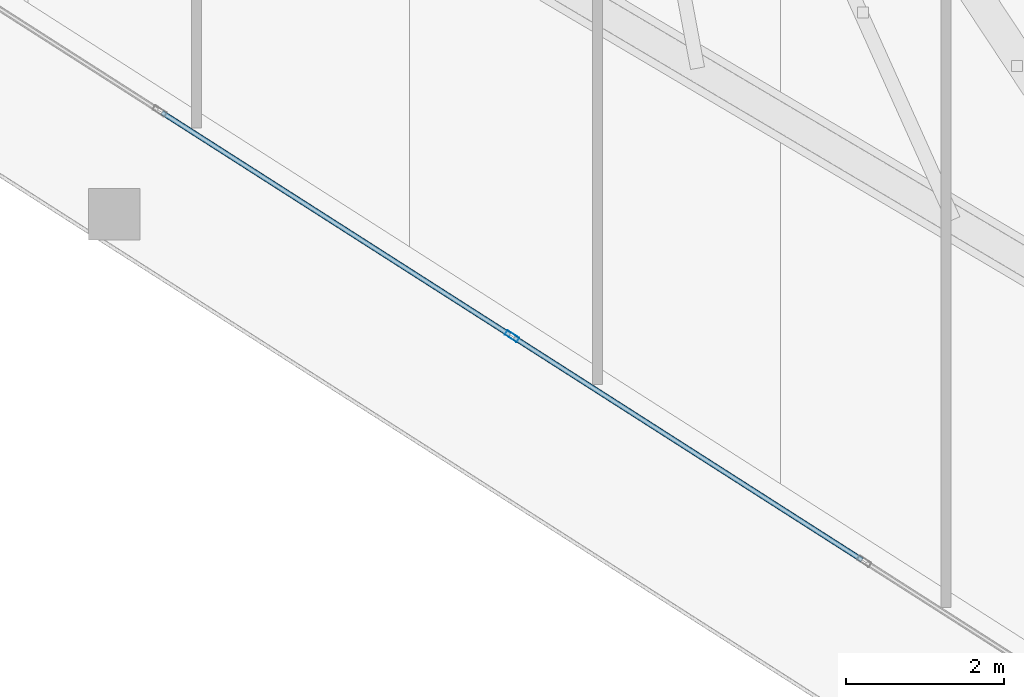
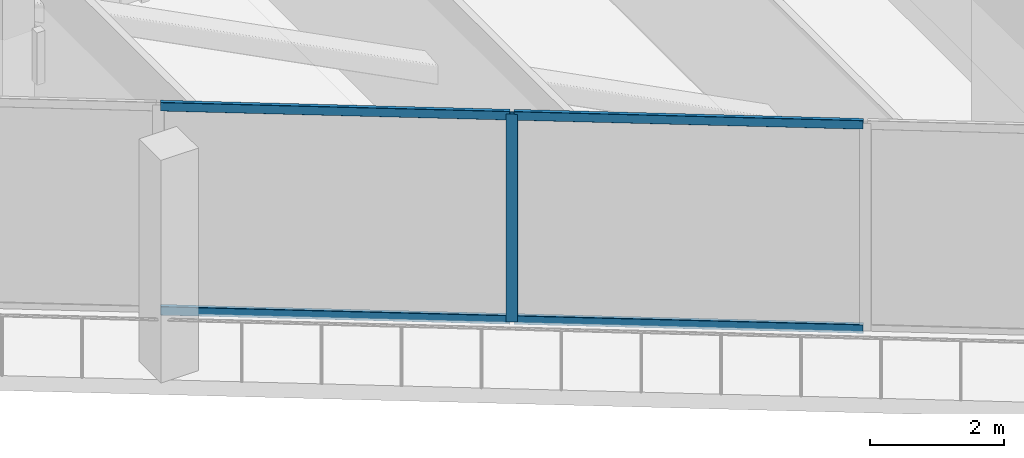
# One storey, part 3 of 43: 5 members, 1 element without a shape of its own.
"""IFC4 building model written with IfcOpenShell, lengths in metres."""

from ifc_helpers import new_model, si_unit, direction, frame, origin, origin_2d, place, context, subcontext, project, spatial, hollow_rectangle, extrude, material, layer, layer_set, material_profile, profile_set, type_object, element, aggregate, save


model = new_model("IFC4")

# Units and contexts
model_context = context("Model", 3, precision=1e-05, world=origin(), true_north=direction((0.0, 1.0)))
body_context = subcontext(model_context, "Body", "Model", "MODEL_VIEW")
ifc_project = project(units=[si_unit("LENGTHUNIT", "METRE"), si_unit("AREAUNIT", "SQUARE_METRE"), si_unit("VOLUMEUNIT", "CUBIC_METRE"), si_unit("PLANEANGLEUNIT", "RADIAN"), si_unit("MASSUNIT", "GRAM", prefix="KILO")], contexts=[model_context])

# Site, building, storey
site_placement = place(None, origin())
site = spatial("IfcSite", under=ifc_project, at=site_placement, CompositionType="ELEMENT")
building_placement = place(site_placement, origin())
building = spatial("IfcBuilding", under=site, at=building_placement, Name="Qorvath Tower", CompositionType="ELEMENT")
storey_placement = place(building_placement, frame((0.0, 0.0, 213.14990234375)))
storey = spatial("IfcBuildingStorey", under=building, at=storey_placement, Name="L49", CompositionType="ELEMENT", Elevation=213.14990234375)

# Curtain wall, members
ifc_material_1 = material(Name="Anodised aluminium and triple low-E glass", Category="aluminium")
ifc_layer = layer(ifc_material_1, 0.179931640625)
ifc_layer_set = layer_set([ifc_layer], Name="CW-SYS-3")
curtain_wall_type = type_object("IfcCurtainWallType", Name="CW-SYS-3", PredefinedType="NOTDEFINED", material=ifc_layer_set)
curtain_wall_placement = place(storey_placement, origin())
curtain_wall = element("IfcCurtainWall", 1, at=curtain_wall_placement, inside=storey, type_object=curtain_wall_type, Name="Curtain Wall CW-3 CW-T-L49-2.2", PredefinedType="NOTDEFINED")
ifc_material_2 = material(Name="Anodised aluminium 6063-T6", Category="aluminium")
ifc_material_profile_1 = material_profile(ifc_material_2, hollow_rectangle(XDim=0.06494140625, YDim=0.179931640625, WallThickness=0.00341796875, InnerFilletRadius=0.00341796875, OuterFilletRadius=0.007080078125, at=origin_2d()), Name="CWM 180x65")
ifc_profile_set_1 = profile_set([ifc_material_profile_1], Name="Anodised aluminium 6063-T6")
member_type_1 = type_object("IfcMemberType", Name="CWM-180", PredefinedType="MULLION", material=ifc_profile_set_1)
member_1_placement = place(storey_placement, frame((-25.99609375, -20.99853515625, 0.0), z_axis=(0.0, 0.0, 1.0), x_axis=(0.538532547612, 0.842604708723, 0.0)))
member_1 = element("IfcMember", 2, at=member_1_placement, type_object=member_type_1, Name="CW-3 mullion 6", PredefinedType="MULLION", context=body_context, shape_type="SweptSolid", body=[
    extrude(hollow_rectangle(XDim=0.06494140625, YDim=0.179931640625, WallThickness=0.00341796875, InnerFilletRadius=0.00341796875, OuterFilletRadius=0.007080078125, at=origin_2d()), origin(), (0.0, 0.0, 1.0), 3.780029296875),
])
ifc_material_3 = material(Name="Anodised aluminium 6063-T6", Category="aluminium")
ifc_material_profile_2 = material_profile(ifc_material_3, hollow_rectangle(XDim=0.06494140625, YDim=0.159912109375, WallThickness=0.00341796875, InnerFilletRadius=0.00341796875, OuterFilletRadius=0.007080078125, at=origin_2d()), Name="CWT 160x65")
ifc_profile_set_2 = profile_set([ifc_material_profile_2], Name="Anodised aluminium 6063-T6")
member_type_2 = type_object("IfcMemberType", Name="CWT-160", PredefinedType="USERDEFINED", material=ifc_profile_set_2)
member_2_placement = place(storey_placement, frame((-30.41357421875, -18.17529296875, 0.032470703125), z_axis=(0.842621841948, -0.538505739498, 0.0), x_axis=(0.538505739498, 0.842621841948, 0.0)))
member_2 = element("IfcMember", 3, at=member_2_placement, type_object=member_type_2, Name="CW-3 transom 5.1", ObjectType="TRANSOM", PredefinedType="USERDEFINED", context=body_context, shape_type="SweptSolid", body=[
    extrude(hollow_rectangle(XDim=0.06494140625, YDim=0.159912109375, WallThickness=0.00341796875, InnerFilletRadius=0.00341796875, OuterFilletRadius=0.007080078125, at=origin_2d()), origin(), (0.0, 0.0, 1.0), 5.210205078125),
])
member_3_placement = place(storey_placement, frame((-30.41357421875, -18.17529296875, 3.74755859375), z_axis=(0.842621841948, -0.538505739498, 0.0), x_axis=(0.538505739498, 0.842621841948, 0.0)))
member_3 = element("IfcMember", 4, at=member_3_placement, type_object=member_type_2, Name="CW-3 transom 5.2", ObjectType="TRANSOM", PredefinedType="USERDEFINED", context=body_context, shape_type="SweptSolid", body=[
    extrude(hollow_rectangle(XDim=0.06494140625, YDim=0.159912109375, WallThickness=0.00341796875, InnerFilletRadius=0.00341796875, OuterFilletRadius=0.007080078125, at=origin_2d()), origin(), (0.0, 0.0, 1.0), 5.210205078125),
])
member_4_placement = place(storey_placement, frame((-25.96875, -21.015869140625, 0.032470703125), z_axis=(0.842608252522, -0.538527002835, 0.0), x_axis=(0.538527002835, 0.842608252522, 0.0)))
member_4 = element("IfcMember", 5, at=member_4_placement, type_object=member_type_2, Name="CW-3 transom 6.1", ObjectType="TRANSOM", PredefinedType="USERDEFINED", context=body_context, shape_type="SweptSolid", body=[
    extrude(hollow_rectangle(XDim=0.06494140625, YDim=0.159912109375, WallThickness=0.00341796875, InnerFilletRadius=0.00341796875, OuterFilletRadius=0.007080078125, at=origin_2d()), origin(), (0.0, 0.0, 1.0), 5.2099609375),
])
member_5_placement = place(storey_placement, frame((-25.96875, -21.015869140625, 3.74755859375), z_axis=(0.842608252522, -0.538527002835, 0.0), x_axis=(0.538527002835, 0.842608252522, 0.0)))
member_5 = element("IfcMember", 6, at=member_5_placement, type_object=member_type_2, Name="CW-3 transom 6.2", ObjectType="TRANSOM", PredefinedType="USERDEFINED", context=body_context, shape_type="SweptSolid", body=[
    extrude(hollow_rectangle(XDim=0.06494140625, YDim=0.159912109375, WallThickness=0.00341796875, InnerFilletRadius=0.00341796875, OuterFilletRadius=0.007080078125, at=origin_2d()), origin(), (0.0, 0.0, 1.0), 5.2099609375),
])
aggregate(curtain_wall, [member_1, member_2, member_3, member_4, member_5])

save(model, "model.ifc")
